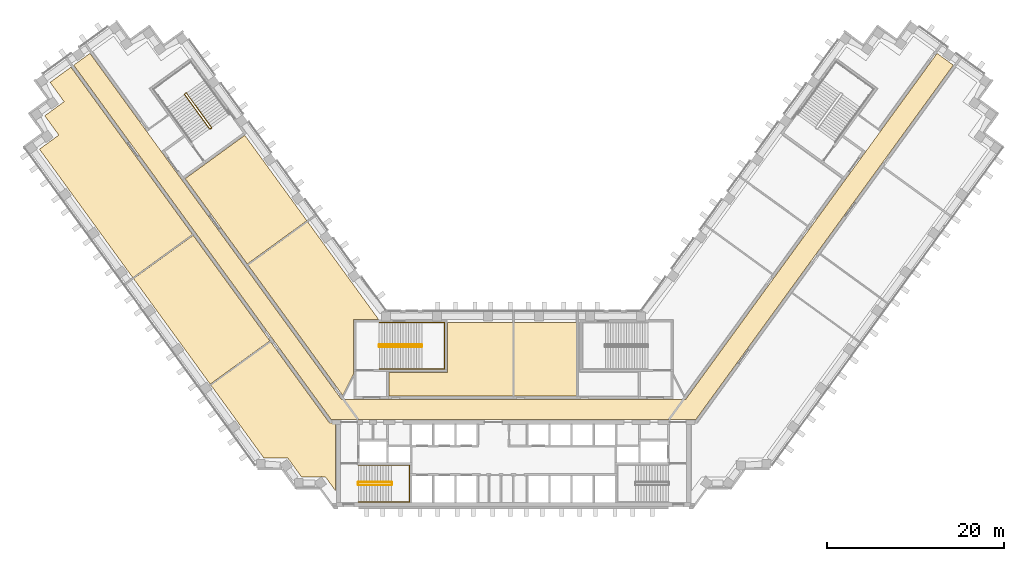
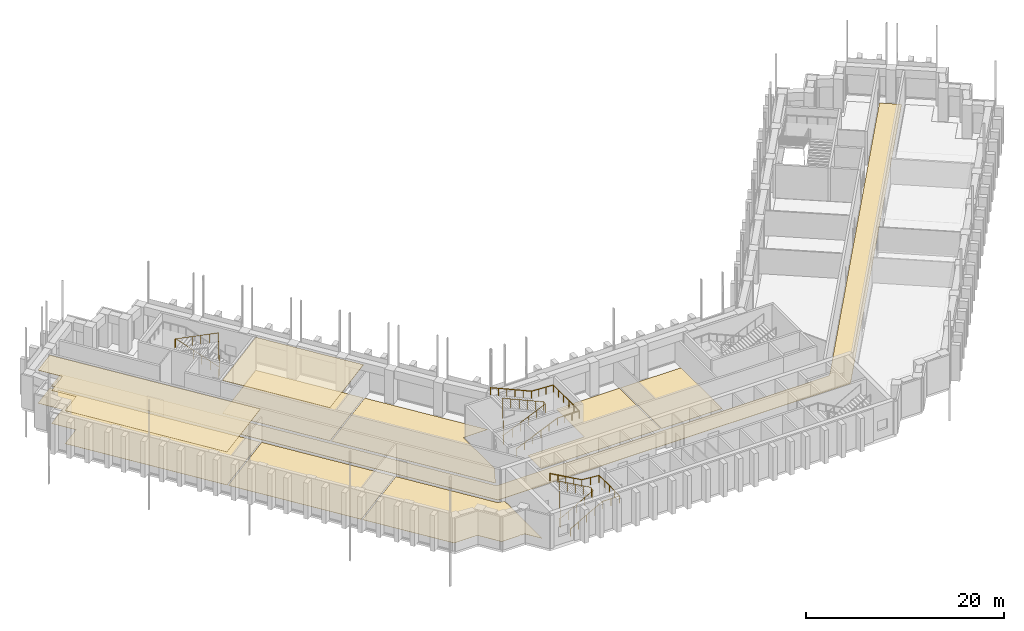
# One storey, part 16 of 18: 10 coverings, 5 railings.
"""IFC4 building model written with IfcOpenShell, lengths in metres."""

from ifc_helpers import new_model, si_unit, direction, frame, origin, origin_2d, place, context, subcontext, project, spatial, polyline, circle, outline, extrude, material, layer, layer_set, type_object, element, save


model = new_model("IFC4")

# Units and contexts
model_context = context("Model", 3, precision=1e-05, world=origin(), true_north=direction((0.0, 1.0)))
body_context = subcontext(model_context, "Body", "Model", "MODEL_VIEW")
ifc_project = project(units=[si_unit("LENGTHUNIT", "METRE"), si_unit("AREAUNIT", "SQUARE_METRE"), si_unit("VOLUMEUNIT", "CUBIC_METRE"), si_unit("PLANEANGLEUNIT", "RADIAN"), si_unit("MASSUNIT", "GRAM", prefix="KILO")], contexts=[model_context])

# Site, building, storey
site_placement = place(None, origin())
site = spatial("IfcSite", under=ifc_project, at=site_placement, CompositionType="ELEMENT")
building_placement = place(site_placement, origin())
building = spatial("IfcBuilding", under=site, at=building_placement, Name="Quipu Civic Tower", CompositionType="ELEMENT")
storey_placement = place(building_placement, frame((0.0, 0.0, 16.0)))
storey = spatial("IfcBuildingStorey", under=building, at=storey_placement, Name="L03", CompositionType="ELEMENT", Elevation=16.0)

# Coverings
ifc_material_1 = material(Name="Mineral fibre acoustic ceiling tile")
ifc_layer_1 = layer(ifc_material_1, 0.0400390625)
ifc_layer_set_1 = layer_set([ifc_layer_1], Name="Mineral fibre acoustic ceiling tile")
covering_type_1 = type_object("IfcCoveringType", Name="Acoustic ceiling tile 600 x 600", PredefinedType="CEILING", material=ifc_layer_set_1)
covering_1_placement = place(storey_placement, frame((0.0, 0.0, 4.06005859375)))
element("IfcCovering", 1, at=covering_1_placement, inside=storey, type_object=covering_type_1, Name="Acoustic ceiling tile 600 x 600", PredefinedType="CEILING", context=body_context, shape_type="SweptSolid", body=[
    extrude(outline(polyline([(-53.47998046875, 29.35791015625), (-51.297119140625, 30.945068359375), (-52.883056640625, 33.12890625), (-50.698974609375, 34.717041015625), (-52.284912109375, 36.90087890625), (-49.930908203125, 38.611083984375), (-36.22705078125, 19.748046875), (-42.950927734375, 14.864990234375), (-53.47998046875, 29.35791015625)])), origin(), (0.0, 0.0, 1.0), 0.0400390625),
])
covering_2_placement = place(storey_placement, frame((0.0, 0.0, 4.06005859375)))
element("IfcCovering", 2, at=covering_2_placement, inside=storey, type_object=covering_type_1, Name="Acoustic ceiling tile 600 x 600", PredefinedType="CEILING", context=body_context, shape_type="SweptSolid", body=[
    extrude(outline(polyline([(-37.0380859375, 26.0380859375), (-30.31494140625, 30.922119140625), (-23.318115234375, 21.2900390625), (-30.041015625, 16.406005859375), (-37.0380859375, 26.0380859375)])), origin(), (0.0, 0.0, 1.0), 0.0400390625),
])
ifc_material_2 = material(Name="Carpet tile on raised access floor")
ifc_layer_2 = layer(ifc_material_2, 0.02001953125)
ifc_layer_set_2 = layer_set([ifc_layer_2], Name="Carpet tile on raised access floor")
covering_type_2 = type_object("IfcCoveringType", Name="Carpet tile floor finish 20", PredefinedType="FLOORING", material=ifc_layer_set_2)
covering_3_placement = place(storey_placement, origin())
element("IfcCovering", 3, at=covering_3_placement, inside=storey, type_object=covering_type_2, Name="Carpet tile floor finish 20", PredefinedType="FLOORING", context=body_context, shape_type="SweptSolid", body=[
    extrude(outline(polyline([(-14.030029296875, 4.179931640625), (-7.430908203125, 4.179931640625), (-7.429931640625, 9.830078125), (-0.070068359375, 9.830078125), (-0.070068359375, 1.52001953125), (-14.030029296875, 1.52001953125), (-14.030029296875, 4.179931640625)])), origin(), (0.0, 0.0, 1.0), 0.02001953125),
])
covering_4_placement = place(storey_placement, origin())
element("IfcCovering", 4, at=covering_4_placement, inside=storey, type_object=covering_type_2, Name="Carpet tile floor finish 20", PredefinedType="FLOORING", context=body_context, shape_type="SweptSolid", body=[
    extrude(outline(polyline([(-34.138916015625, 2.738037109375), (-27.416015625, 7.62109375), (-20.77490234375, -1.51904296875), (-20.070068359375, -1.52001953125), (-20.070068359375, -9.195068359375), (-21.196044921875, -7.64599609375), (-21.597900390625, -7.64599609375), (-21.64111328125, -7.5869140625), (-21.64404296875, -7.5830078125), (-21.64697265625, -7.580078125), (-21.65087890625, -7.576904296875), (-21.655029296875, -7.573974609375), (-21.658935546875, -7.572021484375), (-21.6640625, -7.570068359375), (-21.6689453125, -7.568115234375), (-21.673095703125, -7.56689453125), (-21.677978515625, -7.56689453125), (-21.68310546875, -7.56689453125), (-21.68798828125, -7.56689453125), (-21.693115234375, -7.568115234375), (-21.697998046875, -7.569091796875), (-21.701904296875, -7.571044921875), (-21.7060546875, -7.572998046875), (-21.7109375, -7.575927734375), (-21.806884765625, -7.64599609375), (-23.89501953125, -7.64599609375), (-25.48193359375, -5.4619140625), (-28.181884765625, -5.4609375), (-34.138916015625, 2.738037109375)])), origin(), (0.0, 0.0, 1.0), 0.02001953125),
])
covering_5_placement = place(storey_placement, origin())
element("IfcCovering", 5, at=covering_5_placement, inside=storey, type_object=covering_type_2, Name="Carpet tile floor finish 20", PredefinedType="FLOORING", context=body_context, shape_type="SweptSolid", body=[
    extrude(outline(polyline([(-53.47998046875, 29.35791015625), (-51.297119140625, 30.945068359375), (-52.883056640625, 33.12890625), (-50.698974609375, 34.717041015625), (-52.284912109375, 36.90087890625), (-49.930908203125, 38.611083984375), (-36.22705078125, 19.748046875), (-42.950927734375, 14.864990234375), (-53.47998046875, 29.35791015625)])), origin(), (0.0, 0.0, 1.0), 0.02001953125),
])
covering_6_placement = place(storey_placement, origin())
element("IfcCovering", 6, at=covering_6_placement, inside=storey, type_object=covering_type_2, Name="Carpet tile floor finish 20", PredefinedType="FLOORING", context=body_context, shape_type="SweptSolid", body=[
    extrude(outline(polyline([(0.070068359375, 9.830078125), (7.1279296875, 9.830078125), (7.1279296875, 1.52001953125), (0.070068359375, 1.52001953125), (0.070068359375, 9.830078125)])), origin(), (0.0, 0.0, 1.0), 0.02001953125),
])
covering_7_placement = place(storey_placement, origin())
element("IfcCovering", 7, at=covering_7_placement, inside=storey, type_object=covering_type_2, Name="Carpet tile floor finish 20", PredefinedType="FLOORING", context=body_context, shape_type="SweptSolid", body=[
    extrude(outline(polyline([(-29.9580078125, 16.29296875), (-23.235107421875, 21.177001953125), (-15.238037109375, 10.169921875), (-18.070068359375, 10.1689453125), (-18.070068359375, 3.94189453125), (-19.27197265625, 1.583984375), (-29.9580078125, 16.29296875)])), origin(), (0.0, 0.0, 1.0), 0.02001953125),
])
covering_8_placement = place(storey_placement, origin())
element("IfcCovering", 8, at=covering_8_placement, inside=storey, type_object=covering_type_2, Name="Carpet tile floor finish 20", PredefinedType="FLOORING", context=body_context, shape_type="SweptSolid", body=[
    extrude(outline(polyline([(-42.867919921875, 14.751953125), (-36.14404296875, 19.635009765625), (-27.4990234375, 7.73388671875), (-34.221923828125, 2.85107421875), (-42.867919921875, 14.751953125)])), origin(), (0.0, 0.0, 1.0), 0.02001953125),
])
covering_9_placement = place(storey_placement, origin())
element("IfcCovering", 9, at=covering_9_placement, inside=storey, type_object=covering_type_2, Name="Carpet tile floor finish 20", PredefinedType="FLOORING", context=body_context, shape_type="SweptSolid", body=[
    extrude(outline(polyline([(-37.0380859375, 26.0380859375), (-30.31494140625, 30.922119140625), (-23.318115234375, 21.2900390625), (-30.041015625, 16.406005859375), (-37.0380859375, 26.0380859375)])), origin(), (0.0, 0.0, 1.0), 0.02001953125),
])

# Railings
ifc_material_3 = material(Name="Stainless steel", Category="steel")
railing_type_1 = type_object("IfcRailingType", Name="Stair guard 1100", PredefinedType="GUARDRAIL", material=ifc_material_3)
railing_1_placement = place(storey_placement, frame((-17.5, -8.550048828125, 0.173095703125)))
element("IfcRailing", 10, at=railing_1_placement, inside=storey, type_object=railing_type_1, Name="Stair 1 guard", PredefinedType="GUARDRAIL", context=body_context, shape_type="SweptSolid", body=[
    extrude(circle(Radius=0.02392578125, at=origin_2d()), frame((0.0, 0.0, 1.076171875), z_axis=(0.873133609054, 0.0, 0.487480974747), x_axis=(0.0, 1.0, 0.0)), (0.0, 0.0, 1.0), 4.260498046875),
    extrude(circle(Radius=0.02392578125, at=origin_2d()), frame((3.719970703125, 0.0, 3.15283203125), z_axis=(0.707106781187, 0.707106781187, 0.0), x_axis=(-0.707106781187, 0.707106781187, 0.0)), (0.0, 0.0, 1.0), 0.07080078125),
    extrude(circle(Radius=0.02392578125, at=origin_2d()), frame((3.77001953125, 0.050048828125, 3.15283203125), z_axis=(0.0, 1.0, 0.0), x_axis=(-1.0, 0.0, 0.0)), (0.0, 0.0, 1.0), 0.25),
    extrude(circle(Radius=0.02392578125, at=origin_2d()), frame((3.77001953125, 0.300048828125, 3.15283203125), z_axis=(-0.267629722418, 0.267629722418, 0.925607186314), x_axis=(-0.707106781187, -0.707106781187, 0.0)), (0.0, 0.0, 1.0), 0.18701171875),
    extrude(circle(Radius=0.02392578125, at=origin_2d()), frame((3.719970703125, 0.35009765625, 3.326171875), z_axis=(-0.873133609054, 0.0, 0.487480974747), x_axis=(0.0, -1.0, 0.0)), (0.0, 0.0, 1.0), 4.260498046875),
    extrude(circle(Radius=0.02392578125, at=origin_2d()), frame((0.0, 0.35009765625, 5.40283203125), z_axis=(-0.011096637166, -0.066525693058, -0.997723006053), x_axis=(0.986372223864, -0.164529134168, 0.0)), (0.0, 0.0, 1.0), 4.51025390625),
    extrude(circle(Radius=0.02392578125, at=origin_2d()), frame((-0.050048828125, 0.050048828125, 0.90283203125), z_axis=(0.0, 1.0, 0.0), x_axis=(-1.0, 0.0, 0.0)), (0.0, 0.0, 1.0), 0.25),
    extrude(circle(Radius=0.02099609375, at=origin_2d()), origin(), (0.0, 0.0, 1.0), 1.052001953125),
    extrude(circle(Radius=0.02099609375, at=origin_2d()), frame((0.929931640625, 0.0, 0.519287109375)), (0.0, 0.0, 1.0), 1.052001953125),
    extrude(circle(Radius=0.02099609375, at=origin_2d()), frame((1.85986328125, 0.0, 1.03857421875)), (0.0, 0.0, 1.0), 1.052001953125),
    extrude(circle(Radius=0.02099609375, at=origin_2d()), frame((2.7900390625, 0.0, 1.5576171875)), (0.0, 0.0, 1.0), 1.052001953125),
    extrude(circle(Radius=0.02099609375, at=origin_2d()), frame((3.719970703125, 0.0, 2.076904296875)), (0.0, 0.0, 1.0), 1.052001953125),
    extrude(circle(Radius=0.02099609375, at=origin_2d()), frame((3.77001953125, 0.050048828125, 2.076904296875)), (0.0, 0.0, 1.0), 1.052001953125),
    extrude(circle(Radius=0.02099609375, at=origin_2d()), frame((3.77001953125, 0.300048828125, 2.076904296875)), (0.0, 0.0, 1.0), 1.052001953125),
    extrude(circle(Radius=0.02099609375, at=origin_2d()), frame((3.719970703125, 0.35009765625, 2.25)), (0.0, 0.0, 1.0), 1.052001953125),
    extrude(circle(Radius=0.02099609375, at=origin_2d()), frame((2.7900390625, 0.35009765625, 2.769287109375)), (0.0, 0.0, 1.0), 1.052001953125),
    extrude(circle(Radius=0.02099609375, at=origin_2d()), frame((1.85986328125, 0.35009765625, 3.28857421875)), (0.0, 0.0, 1.0), 1.052001953125),
    extrude(circle(Radius=0.02099609375, at=origin_2d()), frame((0.929931640625, 0.35009765625, 3.8076171875)), (0.0, 0.0, 1.0), 1.052001953125),
    extrude(circle(Radius=0.02099609375, at=origin_2d()), frame((0.0, 0.35009765625, 4.326904296875)), (0.0, 0.0, 1.0), 1.052001953125),
    extrude(circle(Radius=0.02099609375, at=origin_2d()), frame((-0.012451171875, 0.275146484375, 3.201904296875)), (0.0, 0.0, 1.0), 1.052001953125),
    extrude(circle(Radius=0.02099609375, at=origin_2d()), frame((-0.02490234375, 0.2001953125, 2.076904296875)), (0.0, 0.0, 1.0), 1.052001953125),
    extrude(circle(Radius=0.02099609375, at=origin_2d()), frame((-0.03759765625, 0.125, 0.951904296875)), (0.0, 0.0, 1.0), 1.052001953125),
    extrude(circle(Radius=0.02099609375, at=origin_2d()), frame((-0.050048828125, 0.050048828125, -0.173095703125)), (0.0, 0.0, 1.0), 1.052001953125),
    extrude(circle(Radius=0.02099609375, at=origin_2d()), frame((-0.050048828125, 0.300048828125, -0.173095703125)), (0.0, 0.0, 1.0), 1.052001953125),
])
railing_2_placement = place(storey_placement, frame((-15.14990234375, 7.050048828125, 0.13232421875)))
element("IfcRailing", 11, at=railing_2_placement, inside=storey, type_object=railing_type_1, Name="Stair 3 guard", PredefinedType="GUARDRAIL", context=body_context, shape_type="SweptSolid", body=[
    extrude(circle(Radius=0.02392578125, at=origin_2d()), frame((0.0, 0.0, 1.076171875), z_axis=(0.914909713927, 0.0, 0.403658538077), x_axis=(0.0, 1.0, 0.0)), (0.0, 0.0, 1.0), 5.24609375),
    extrude(circle(Radius=0.02392578125, at=origin_2d()), frame((4.7998046875, 0.0, 3.19384765625), z_axis=(0.707106781187, 0.707106781187, 0.0), x_axis=(-0.707106781187, 0.707106781187, 0.0)), (0.0, 0.0, 1.0), 0.07080078125),
    extrude(circle(Radius=0.02392578125, at=origin_2d()), frame((4.849853515625, 0.050048828125, 3.19384765625), z_axis=(0.0, 1.0, 0.0), x_axis=(-1.0, 0.0, 0.0)), (0.0, 0.0, 1.0), 0.14990234375),
    extrude(circle(Radius=0.02392578125, at=origin_2d()), frame((4.849853515625, 0.199951171875, 3.19384765625), z_axis=(-0.333514590198, 0.333514590198, 0.881780038474), x_axis=(-0.707106781187, -0.707106781187, 0.0)), (0.0, 0.0, 1.0), 0.150146484375),
    extrude(circle(Radius=0.02392578125, at=origin_2d()), frame((4.7998046875, 0.25, 3.326171875), z_axis=(-0.914909713927, 0.0, 0.403658538077), x_axis=(0.0, -1.0, 0.0)), (0.0, 0.0, 1.0), 5.24609375),
    extrude(circle(Radius=0.02392578125, at=origin_2d()), frame((0.0, 0.25, 5.44384765625), z_axis=(-0.011110312959, -0.044387055188, -0.998952626643), x_axis=(0.970072785993, -0.242814311512, 0.0)), (0.0, 0.0, 1.0), 4.504638671875),
    extrude(circle(Radius=0.02392578125, at=origin_2d()), frame((-0.050048828125, 0.050048828125, 0.94384765625), z_axis=(0.0, 1.0, 0.0), x_axis=(-1.0, 0.0, 0.0)), (0.0, 0.0, 1.0), 0.14990234375),
    extrude(circle(Radius=0.02099609375, at=origin_2d()), origin(), (0.0, 0.0, 1.0), 1.052001953125),
    extrude(circle(Radius=0.02099609375, at=origin_2d()), frame((0.9599609375, 0.0, 0.423583984375)), (0.0, 0.0, 1.0), 1.052001953125),
    extrude(circle(Radius=0.02099609375, at=origin_2d()), frame((1.919921875, 0.0, 0.84716796875)), (0.0, 0.0, 1.0), 1.052001953125),
    extrude(circle(Radius=0.02099609375, at=origin_2d()), frame((2.8798828125, 0.0, 1.2705078125)), (0.0, 0.0, 1.0), 1.052001953125),
    extrude(circle(Radius=0.02099609375, at=origin_2d()), frame((3.83984375, 0.0, 1.694091796875)), (0.0, 0.0, 1.0), 1.052001953125),
    extrude(circle(Radius=0.02099609375, at=origin_2d()), frame((4.7998046875, 0.0, 2.11767578125)), (0.0, 0.0, 1.0), 1.052001953125),
    extrude(circle(Radius=0.02099609375, at=origin_2d()), frame((4.849853515625, 0.050048828125, 2.11767578125)), (0.0, 0.0, 1.0), 1.052001953125),
    extrude(circle(Radius=0.02099609375, at=origin_2d()), frame((4.849853515625, 0.199951171875, 2.11767578125)), (0.0, 0.0, 1.0), 1.052001953125),
    extrude(circle(Radius=0.02099609375, at=origin_2d()), frame((4.7998046875, 0.25, 2.25)), (0.0, 0.0, 1.0), 1.052001953125),
    extrude(circle(Radius=0.02099609375, at=origin_2d()), frame((3.83984375, 0.25, 2.673583984375)), (0.0, 0.0, 1.0), 1.052001953125),
    extrude(circle(Radius=0.02099609375, at=origin_2d()), frame((2.8798828125, 0.25, 3.09716796875)), (0.0, 0.0, 1.0), 1.052001953125),
    extrude(circle(Radius=0.02099609375, at=origin_2d()), frame((1.919921875, 0.25, 3.5205078125)), (0.0, 0.0, 1.0), 1.052001953125),
    extrude(circle(Radius=0.02099609375, at=origin_2d()), frame((0.9599609375, 0.25, 3.944091796875)), (0.0, 0.0, 1.0), 1.052001953125),
    extrude(circle(Radius=0.02099609375, at=origin_2d()), frame((0.0, 0.25, 4.36767578125)), (0.0, 0.0, 1.0), 1.052001953125),
    extrude(circle(Radius=0.02099609375, at=origin_2d()), frame((-0.012451171875, 0.199951171875, 3.24267578125)), (0.0, 0.0, 1.0), 1.052001953125),
    extrude(circle(Radius=0.02099609375, at=origin_2d()), frame((-0.02490234375, 0.14990234375, 2.11767578125)), (0.0, 0.0, 1.0), 1.052001953125),
    extrude(circle(Radius=0.02099609375, at=origin_2d()), frame((-0.03759765625, 0.10009765625, 0.99267578125)), (0.0, 0.0, 1.0), 1.052001953125),
    extrude(circle(Radius=0.02099609375, at=origin_2d()), frame((-0.050048828125, 0.050048828125, -0.13232421875)), (0.0, 0.0, 1.0), 1.052001953125),
    extrude(circle(Radius=0.02099609375, at=origin_2d()), frame((-0.050048828125, 0.199951171875, -0.13232421875)), (0.0, 0.0, 1.0), 1.052001953125),
])
railing_3_placement = place(storey_placement, frame((-34.078857421875, 31.79736328125, 0.13232421875)))
element("IfcRailing", 12, at=railing_3_placement, inside=storey, type_object=railing_type_1, Name="Stair 6 guard", PredefinedType="GUARDRAIL", context=body_context, shape_type="SweptSolid", body=[
    extrude(circle(Radius=0.02392578125, at=origin_2d()), frame((0.0, 0.0, 1.076171875), z_axis=(-0.537761686143, 0.740190150552, 0.403647011561), x_axis=(-0.809026317077, -0.587772420479, 0.0)), (0.0, 0.0, 1.0), 5.246337890625),
    extrude(circle(Radius=0.02392578125, at=origin_2d()), frame((-2.8212890625, 3.88330078125, 3.19384765625), z_axis=(-0.987846838465, 0.155430446612, 0.0), x_axis=(-0.155430446612, -0.987846838465, 0.0)), (0.0, 0.0, 1.0), 0.07080078125),
    extrude(circle(Radius=0.02392578125, at=origin_2d()), frame((-2.89111328125, 3.894287109375, 3.19384765625), z_axis=(-0.809649071907, -0.586914287065, 0.0), x_axis=(0.586914287065, -0.809649071907, 0.0)), (0.0, 0.0, 1.0), 0.150146484375),
    extrude(circle(Radius=0.02392578125, at=origin_2d()), frame((-3.0126953125, 3.80615234375, 3.19384765625), z_axis=(-0.07323271701, -0.465434601444, 0.882047391549), x_axis=(0.987846838465, -0.155430446612, 0.0)), (0.0, 0.0, 1.0), 0.14990234375),
    extrude(circle(Radius=0.02392578125, at=origin_2d()), frame((-3.023681640625, 3.736328125, 3.326171875), z_axis=(0.537761686143, -0.740190150552, 0.403647011561), x_axis=(0.809026317077, 0.587772420479, 0.0)), (0.0, 0.0, 1.0), 5.246337890625),
    extrude(circle(Radius=0.02392578125, at=origin_2d()), frame((-0.202392578125, -0.14697265625, 5.44384765625), z_axis=(0.042490064781, 0.017126097539, -0.998950094438), x_axis=(-0.373837031195, 0.92749440651, 0.0)), (0.0, 0.0, 1.0), 4.504638671875),
    extrude(circle(Radius=0.02392578125, at=origin_2d()), frame((-0.010986328125, -0.06982421875, 0.94384765625), z_axis=(-0.809087927272, -0.587687609145, 0.0), x_axis=(0.587687609145, -0.809087927272, 0.0)), (0.0, 0.0, 1.0), 0.14990234375),
    extrude(circle(Radius=0.02099609375, at=origin_2d()), origin(), (0.0, 0.0, 1.0), 1.052001953125),
    extrude(circle(Radius=0.02099609375, at=origin_2d()), frame((-0.564208984375, 0.776611328125, 0.423583984375)), (0.0, 0.0, 1.0), 1.052001953125),
    extrude(circle(Radius=0.02099609375, at=origin_2d()), frame((-1.12841796875, 1.55322265625, 0.84716796875)), (0.0, 0.0, 1.0), 1.052001953125),
    extrude(circle(Radius=0.02099609375, at=origin_2d()), frame((-1.69287109375, 2.330078125, 1.2705078125)), (0.0, 0.0, 1.0), 1.052001953125),
    extrude(circle(Radius=0.02099609375, at=origin_2d()), frame((-2.257080078125, 3.106689453125, 1.694091796875)), (0.0, 0.0, 1.0), 1.052001953125),
    extrude(circle(Radius=0.02099609375, at=origin_2d()), frame((-2.8212890625, 3.88330078125, 2.11767578125)), (0.0, 0.0, 1.0), 1.052001953125),
    extrude(circle(Radius=0.02099609375, at=origin_2d()), frame((-2.89111328125, 3.894287109375, 2.11767578125)), (0.0, 0.0, 1.0), 1.052001953125),
    extrude(circle(Radius=0.02099609375, at=origin_2d()), frame((-3.0126953125, 3.80615234375, 2.11767578125)), (0.0, 0.0, 1.0), 1.052001953125),
    extrude(circle(Radius=0.02099609375, at=origin_2d()), frame((-3.023681640625, 3.736328125, 2.25)), (0.0, 0.0, 1.0), 1.052001953125),
    extrude(circle(Radius=0.02099609375, at=origin_2d()), frame((-2.45947265625, 2.959716796875, 2.673583984375)), (0.0, 0.0, 1.0), 1.052001953125),
    extrude(circle(Radius=0.02099609375, at=origin_2d()), frame((-1.895263671875, 2.18310546875, 3.09716796875)), (0.0, 0.0, 1.0), 1.052001953125),
    extrude(circle(Radius=0.02099609375, at=origin_2d()), frame((-1.330810546875, 1.40625, 3.5205078125)), (0.0, 0.0, 1.0), 1.052001953125),
    extrude(circle(Radius=0.02099609375, at=origin_2d()), frame((-0.7666015625, 0.629638671875, 3.944091796875)), (0.0, 0.0, 1.0), 1.052001953125),
    extrude(circle(Radius=0.02099609375, at=origin_2d()), frame((-0.202392578125, -0.14697265625, 4.36767578125)), (0.0, 0.0, 1.0), 1.052001953125),
    extrude(circle(Radius=0.02099609375, at=origin_2d()), frame((-0.154541015625, -0.127685546875, 3.24267578125)), (0.0, 0.0, 1.0), 1.052001953125),
    extrude(circle(Radius=0.02099609375, at=origin_2d()), frame((-0.106689453125, -0.1083984375, 2.11767578125)), (0.0, 0.0, 1.0), 1.052001953125),
    extrude(circle(Radius=0.02099609375, at=origin_2d()), frame((-0.058837890625, -0.089111328125, 0.99267578125)), (0.0, 0.0, 1.0), 1.052001953125),
    extrude(circle(Radius=0.02099609375, at=origin_2d()), frame((-0.010986328125, -0.06982421875, -0.13232421875)), (0.0, 0.0, 1.0), 1.052001953125),
    extrude(circle(Radius=0.02099609375, at=origin_2d()), frame((-0.13232421875, -0.157958984375, -0.13232421875)), (0.0, 0.0, 1.0), 1.052001953125),
])
ifc_material_4 = material(Name="Stainless steel", Category="steel")
railing_type_2 = type_object("IfcRailingType", Name="Stair handrail", PredefinedType="HANDRAIL", material=ifc_material_4)
railing_4_placement = place(storey_placement, frame((-17.5, -10.449951171875, 0.173095703125)))
element("IfcRailing", 13, at=railing_4_placement, inside=storey, type_object=railing_type_2, Name="Stair 1 handrail", PredefinedType="HANDRAIL", context=body_context, shape_type="SweptSolid", body=[
    extrude(circle(Radius=0.02392578125, at=origin_2d()), frame((0.0, 0.0, 0.8759765625), z_axis=(0.873133609054, 0.0, 0.487480974747), x_axis=(0.0, 1.0, 0.0)), (0.0, 0.0, 1.0), 4.260498046875),
    extrude(circle(Radius=0.02392578125, at=origin_2d()), frame((3.719970703125, 0.0, 2.95263671875), z_axis=(1.0, 0.0, 0.0), x_axis=(0.0, 1.0, 0.0)), (0.0, 0.0, 1.0), 2.030029296875),
    extrude(circle(Radius=0.02392578125, at=origin_2d()), frame((5.75, 0.0, 2.95263671875), z_axis=(0.0, 1.0, 0.0), x_axis=(-1.0, 0.0, 0.0)), (0.0, 0.0, 1.0), 4.14990234375),
    extrude(circle(Radius=0.02392578125, at=origin_2d()), frame((5.75, 4.14990234375, 2.95263671875), z_axis=(-0.996384422715, 0.0, 0.084959297138), x_axis=(0.0, -1.0, 0.0)), (0.0, 0.0, 1.0), 2.037353515625),
    extrude(circle(Radius=0.02392578125, at=origin_2d()), frame((3.719970703125, 4.14990234375, 3.1259765625), z_axis=(-0.873133609054, 0.0, 0.487480974747), x_axis=(0.0, -1.0, 0.0)), (0.0, 0.0, 1.0), 4.260498046875),
    extrude(circle(Radius=0.02099609375, at=origin_2d()), origin(), (0.0, 0.0, 1.0), 0.851806640625),
    extrude(circle(Radius=0.02099609375, at=origin_2d()), frame((0.929931640625, 0.0, 0.519287109375)), (0.0, 0.0, 1.0), 0.851806640625),
    extrude(circle(Radius=0.02099609375, at=origin_2d()), frame((1.85986328125, 0.0, 1.03857421875)), (0.0, 0.0, 1.0), 0.851806640625),
    extrude(circle(Radius=0.02099609375, at=origin_2d()), frame((2.7900390625, 0.0, 1.5576171875)), (0.0, 0.0, 1.0), 0.851806640625),
    extrude(circle(Radius=0.02099609375, at=origin_2d()), frame((3.719970703125, 0.0, 2.076904296875)), (0.0, 0.0, 1.0), 0.851806640625),
    extrude(circle(Radius=0.02099609375, at=origin_2d()), frame((4.73486328125, 0.0, 2.076904296875)), (0.0, 0.0, 1.0), 0.851806640625),
    extrude(circle(Radius=0.02099609375, at=origin_2d()), frame((5.75, 0.0, 2.076904296875)), (0.0, 0.0, 1.0), 0.851806640625),
    extrude(circle(Radius=0.02099609375, at=origin_2d()), frame((5.75, 1.03759765625, 2.076904296875)), (0.0, 0.0, 1.0), 0.851806640625),
    extrude(circle(Radius=0.02099609375, at=origin_2d()), frame((5.75, 2.074951171875, 2.076904296875)), (0.0, 0.0, 1.0), 0.851806640625),
    extrude(circle(Radius=0.02099609375, at=origin_2d()), frame((5.75, 3.1123046875, 2.076904296875)), (0.0, 0.0, 1.0), 0.851806640625),
    extrude(circle(Radius=0.02099609375, at=origin_2d()), frame((5.75, 4.14990234375, 2.076904296875)), (0.0, 0.0, 1.0), 0.851806640625),
    extrude(circle(Radius=0.02099609375, at=origin_2d()), frame((4.73486328125, 4.14990234375, 2.16357421875)), (0.0, 0.0, 1.0), 0.851806640625),
    extrude(circle(Radius=0.02099609375, at=origin_2d()), frame((3.719970703125, 4.14990234375, 2.25)), (0.0, 0.0, 1.0), 0.851806640625),
    extrude(circle(Radius=0.02099609375, at=origin_2d()), frame((2.7900390625, 4.14990234375, 2.769287109375)), (0.0, 0.0, 1.0), 0.851806640625),
    extrude(circle(Radius=0.02099609375, at=origin_2d()), frame((1.85986328125, 4.14990234375, 3.28857421875)), (0.0, 0.0, 1.0), 0.851806640625),
    extrude(circle(Radius=0.02099609375, at=origin_2d()), frame((0.929931640625, 4.14990234375, 3.8076171875)), (0.0, 0.0, 1.0), 0.851806640625),
    extrude(circle(Radius=0.02099609375, at=origin_2d()), frame((0.0, 4.14990234375, 4.326904296875)), (0.0, 0.0, 1.0), 0.851806640625),
])
railing_5_placement = place(storey_placement, frame((-15.14990234375, 4.550048828125, 0.13232421875)))
element("IfcRailing", 14, at=railing_5_placement, inside=storey, type_object=railing_type_2, Name="Stair 3 handrail", PredefinedType="HANDRAIL", context=body_context, shape_type="SweptSolid", body=[
    extrude(circle(Radius=0.02392578125, at=origin_2d()), frame((0.0, 0.0, 0.8759765625), z_axis=(0.914909713927, 0.0, 0.403658538077), x_axis=(0.0, 1.0, 0.0)), (0.0, 0.0, 1.0), 5.24609375),
    extrude(circle(Radius=0.02392578125, at=origin_2d()), frame((4.7998046875, 0.0, 2.99365234375), z_axis=(1.0, 0.0, 0.0), x_axis=(0.0, 1.0, 0.0)), (0.0, 0.0, 1.0), 2.550048828125),
    extrude(circle(Radius=0.02392578125, at=origin_2d()), frame((7.349853515625, 0.0, 2.99365234375), z_axis=(0.0, 1.0, 0.0), x_axis=(-1.0, 0.0, 0.0)), (0.0, 0.0, 1.0), 5.25),
    extrude(circle(Radius=0.02392578125, at=origin_2d()), frame((7.349853515625, 5.25, 2.99365234375), z_axis=(-0.998656382309, 0.0, 0.051821135396), x_axis=(0.0, -1.0, 0.0)), (0.0, 0.0, 1.0), 2.553466796875),
    extrude(circle(Radius=0.02392578125, at=origin_2d()), frame((4.7998046875, 5.25, 3.1259765625), z_axis=(-0.914909713927, 0.0, 0.403658538077), x_axis=(0.0, -1.0, 0.0)), (0.0, 0.0, 1.0), 5.24609375),
    extrude(circle(Radius=0.02099609375, at=origin_2d()), origin(), (0.0, 0.0, 1.0), 0.851806640625),
    extrude(circle(Radius=0.02099609375, at=origin_2d()), frame((0.9599609375, 0.0, 0.423583984375)), (0.0, 0.0, 1.0), 0.851806640625),
    extrude(circle(Radius=0.02099609375, at=origin_2d()), frame((1.919921875, 0.0, 0.84716796875)), (0.0, 0.0, 1.0), 0.851806640625),
    extrude(circle(Radius=0.02099609375, at=origin_2d()), frame((2.8798828125, 0.0, 1.2705078125)), (0.0, 0.0, 1.0), 0.851806640625),
    extrude(circle(Radius=0.02099609375, at=origin_2d()), frame((3.83984375, 0.0, 1.694091796875)), (0.0, 0.0, 1.0), 0.851806640625),
    extrude(circle(Radius=0.02099609375, at=origin_2d()), frame((4.7998046875, 0.0, 2.11767578125)), (0.0, 0.0, 1.0), 0.851806640625),
    extrude(circle(Radius=0.02099609375, at=origin_2d()), frame((5.64990234375, 0.0, 2.11767578125)), (0.0, 0.0, 1.0), 0.851806640625),
    extrude(circle(Radius=0.02099609375, at=origin_2d()), frame((6.499755859375, 0.0, 2.11767578125)), (0.0, 0.0, 1.0), 0.851806640625),
    extrude(circle(Radius=0.02099609375, at=origin_2d()), frame((7.349853515625, 0.0, 2.11767578125)), (0.0, 0.0, 1.0), 0.851806640625),
    extrude(circle(Radius=0.02099609375, at=origin_2d()), frame((7.349853515625, 1.050048828125, 2.11767578125)), (0.0, 0.0, 1.0), 0.851806640625),
    extrude(circle(Radius=0.02099609375, at=origin_2d()), frame((7.349853515625, 2.10009765625, 2.11767578125)), (0.0, 0.0, 1.0), 0.851806640625),
    extrude(circle(Radius=0.02099609375, at=origin_2d()), frame((7.349853515625, 3.14990234375, 2.11767578125)), (0.0, 0.0, 1.0), 0.851806640625),
    extrude(circle(Radius=0.02099609375, at=origin_2d()), frame((7.349853515625, 4.199951171875, 2.11767578125)), (0.0, 0.0, 1.0), 0.851806640625),
    extrude(circle(Radius=0.02099609375, at=origin_2d()), frame((7.349853515625, 5.25, 2.11767578125)), (0.0, 0.0, 1.0), 0.851806640625),
    extrude(circle(Radius=0.02099609375, at=origin_2d()), frame((6.499755859375, 5.25, 2.161865234375)), (0.0, 0.0, 1.0), 0.851806640625),
    extrude(circle(Radius=0.02099609375, at=origin_2d()), frame((5.64990234375, 5.25, 2.205810546875)), (0.0, 0.0, 1.0), 0.851806640625),
    extrude(circle(Radius=0.02099609375, at=origin_2d()), frame((4.7998046875, 5.25, 2.25)), (0.0, 0.0, 1.0), 0.851806640625),
    extrude(circle(Radius=0.02099609375, at=origin_2d()), frame((3.83984375, 5.25, 2.673583984375)), (0.0, 0.0, 1.0), 0.851806640625),
    extrude(circle(Radius=0.02099609375, at=origin_2d()), frame((2.8798828125, 5.25, 3.09716796875)), (0.0, 0.0, 1.0), 0.851806640625),
    extrude(circle(Radius=0.02099609375, at=origin_2d()), frame((1.919921875, 5.25, 3.5205078125)), (0.0, 0.0, 1.0), 0.851806640625),
    extrude(circle(Radius=0.02099609375, at=origin_2d()), frame((0.9599609375, 5.25, 3.944091796875)), (0.0, 0.0, 1.0), 0.851806640625),
    extrude(circle(Radius=0.02099609375, at=origin_2d()), frame((0.0, 5.25, 4.36767578125)), (0.0, 0.0, 1.0), 0.851806640625),
])

# Covering
ifc_material_5 = material(Name="Terrazzo floor finish")
ifc_layer_3 = layer(ifc_material_5, 0.0400390625)
ifc_layer_set_3 = layer_set([ifc_layer_3], Name="Terrazzo floor finish")
covering_type_3 = type_object("IfcCoveringType", Name="Terrazzo floor finish 40", PredefinedType="FLOORING", material=ifc_layer_set_3)
covering_10_placement = place(storey_placement, origin())
element("IfcCovering", 15, at=covering_10_placement, inside=storey, type_object=covering_type_3, Name="Terrazzo floor finish 40", PredefinedType="FLOORING", context=body_context, shape_type="SweptSolid", body=[
    extrude(outline(polyline([(47.787109375, 40.16796875), (49.615966796875, 38.840087890625), (20.574951171875, -1.1298828125), (-20.574951171875, -1.1298828125), (-49.615966796875, 38.840087890625), (-47.787109375, 40.16796875), (-19.425048828125, 1.1298828125), (19.425048828125, 1.1298828125), (47.787109375, 40.16796875)])), origin(), (0.0, 0.0, 1.0), 0.0400390625),
])

save(model, "model.ifc")
